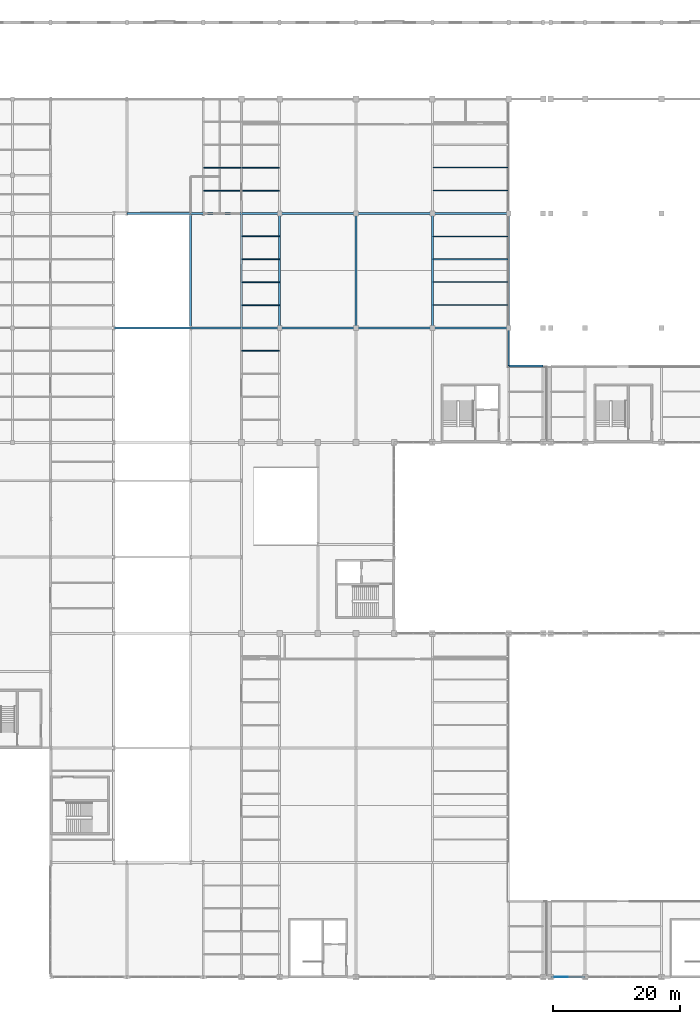
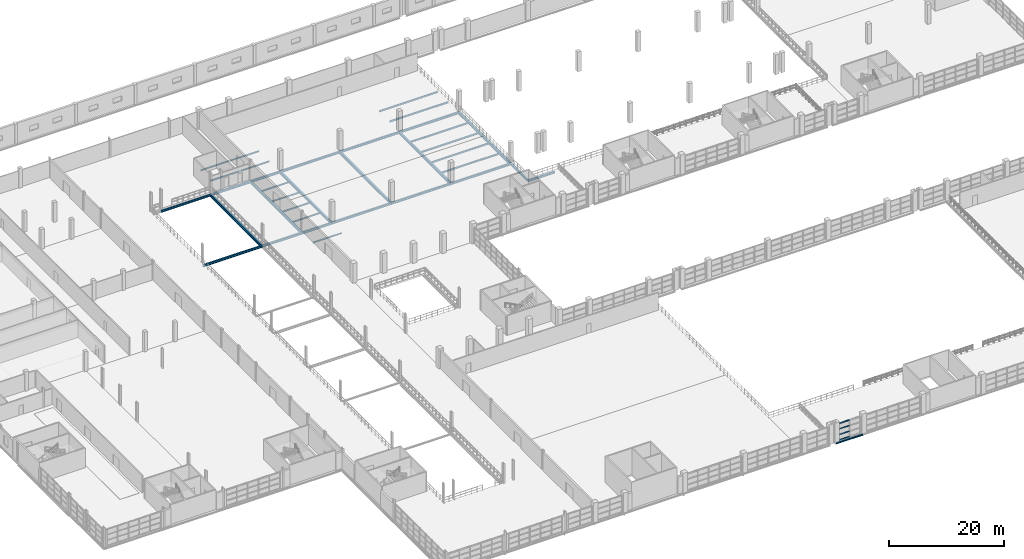
# One storey, part 61 of 158: 37 beams, 4 members, 1 element without a shape of its own.
"""IFC4 building model written with IfcOpenShell, lengths in metres."""

from ifc_helpers import new_model, si_unit, direction, frame, origin, origin_2d, place, context, subcontext, project, spatial, hollow_rectangle, i_section, extrude, material, layer, layer_set, material_profile, profile_set, type_object, element, aggregate, save


model = new_model("IFC4")

# Units and contexts
model_context = context("Model", 3, precision=1e-05, world=origin(), true_north=direction((0.0, 1.0)))
body_context = subcontext(model_context, "Body", "Model", "MODEL_VIEW")
ifc_project = project(units=[si_unit("LENGTHUNIT", "METRE"), si_unit("AREAUNIT", "SQUARE_METRE"), si_unit("VOLUMEUNIT", "CUBIC_METRE"), si_unit("PLANEANGLEUNIT", "RADIAN"), si_unit("MASSUNIT", "GRAM", prefix="KILO")], contexts=[model_context])

# Site, building, storey
site_placement = place(None, origin())
site = spatial("IfcSite", under=ifc_project, at=site_placement, CompositionType="ELEMENT")
building_placement = place(site_placement, origin())
building = spatial("IfcBuilding", under=site, at=building_placement, Name="Zilviju Railside Exhibition Hall", CompositionType="ELEMENT")
storey_placement = place(building_placement, frame((0.0, 0.0, 4.199951171875)))
storey = spatial("IfcBuildingStorey", under=building, at=storey_placement, Name="L02", CompositionType="ELEMENT", Elevation=4.199951171875)

# Beams
ifc_material_1 = material(Name="Steel S355J2", Category="steel")
ifc_material_profile_1 = material_profile(ifc_material_1, i_section(OverallWidth=0.300048828125, OverallDepth=0.2900390625, WebThickness=0.008544921875, FlangeThickness=0.013916015625, at=origin_2d()), Name="HEA 300")
ifc_profile_set_1 = profile_set([ifc_material_profile_1], Name="Steel S355J2")
beam_type_1 = type_object("IfcBeamType", Name="BM-HEA300", PredefinedType="SPANDREL", material=ifc_profile_set_1)
beam_1_placement = place(storey_placement, frame((126.60009765625, 0.0, -0.474853515625), z_axis=(1.0, 0.0, 0.0), x_axis=(0.0, 1.0, 0.0)))
element("IfcBeam", 1, at=beam_1_placement, inside=storey, type_object=beam_type_1, Name="Primary Girder L02 Y=0.0 (126.6..132.0)", PredefinedType="SPANDREL", context=body_context, shape_type="SweptSolid", body=[
    extrude(i_section(OverallWidth=0.300048828125, OverallDepth=0.2900390625, WebThickness=0.008544921875, FlangeThickness=0.013916015625, at=origin_2d()), origin(), (0.0, 0.0, 1.0), 5.39990234375),
])
ifc_material_profile_2 = material_profile(ifc_material_1, i_section(OverallWidth=0.300048828125, OverallDepth=0.360107421875, WebThickness=0.012451171875, FlangeThickness=0.0224609375, at=origin_2d()), Name="HEB 360")
ifc_profile_set_2 = profile_set([ifc_material_profile_2], Name="Steel S355J2")
beam_type_2 = type_object("IfcBeamType", Name="BM-HEB360", PredefinedType="BEAM", material=ifc_profile_set_2)
beam_2_placement = place(storey_placement, frame((120.0, 96.0, -0.510009765625), z_axis=(0.0, 1.0, 0.0), x_axis=(-1.0, 0.0, 0.0)))
element("IfcBeam", 2, at=beam_2_placement, inside=storey, type_object=beam_type_2, Name="Transverse Girder L02 X=120.0 (96.0..102.0)", PredefinedType="BEAM", context=body_context, shape_type="SweptSolid", body=[
    extrude(i_section(OverallWidth=0.300048828125, OverallDepth=0.360107421875, WebThickness=0.012451171875, FlangeThickness=0.0224609375, at=origin_2d()), origin(), (0.0, 0.0, 1.0), 6.0),
])
ifc_material_profile_3 = material_profile(ifc_material_1, i_section(OverallWidth=0.300048828125, OverallDepth=0.449951171875, WebThickness=0.013916015625, FlangeThickness=0.02587890625, at=origin_2d()), Name="HEB 450")
ifc_profile_set_3 = profile_set([ifc_material_profile_3], Name="Steel S355J2")
beam_type_3 = type_object("IfcBeamType", Name="BM-HEB450", PredefinedType="BEAM", material=ifc_profile_set_3)
beam_3_placement = place(storey_placement, frame((120.0, 96.0, -0.554931640625), z_axis=(1.0, 0.0, 0.0), x_axis=(0.0, 1.0, 0.0)))
element("IfcBeam", 3, at=beam_3_placement, inside=storey, type_object=beam_type_3, Name="Primary Girder L02 Y=96.0 (120.0..125.4)", PredefinedType="BEAM", context=body_context, shape_type="SweptSolid", body=[
    extrude(i_section(OverallWidth=0.300048828125, OverallDepth=0.449951171875, WebThickness=0.013916015625, FlangeThickness=0.02587890625, at=origin_2d()), origin(), (0.0, 0.0, 1.0), 5.39990234375),
])
beam_4_placement = place(storey_placement, frame((58.0, 102.0, -0.574951171875), z_axis=(1.0, 0.0, 0.0), x_axis=(0.0, 1.0, 0.0)))
element("IfcBeam", 4, at=beam_4_placement, inside=storey, type_object=beam_type_3, Name="Primary Girder L02 Y=102.0 (58.0..70.0)", PredefinedType="BEAM", context=body_context, shape_type="SweptSolid", body=[
    extrude(i_section(OverallWidth=0.300048828125, OverallDepth=0.449951171875, WebThickness=0.013916015625, FlangeThickness=0.02587890625, at=origin_2d()), origin(), (0.0, 0.0, 1.0), 12.0),
])
beam_5_placement = place(storey_placement, frame((70.0, 102.0, -0.574951171875), z_axis=(1.0, 0.0, 0.0), x_axis=(0.0, 1.0, 0.0)))
element("IfcBeam", 5, at=beam_5_placement, inside=storey, type_object=beam_type_3, Name="Primary Girder L02 Y=102.0 (70.0..78.0)", PredefinedType="BEAM", context=body_context, shape_type="SweptSolid", body=[
    extrude(i_section(OverallWidth=0.300048828125, OverallDepth=0.449951171875, WebThickness=0.013916015625, FlangeThickness=0.02587890625, at=origin_2d()), origin(), (0.0, 0.0, 1.0), 8.0),
])
beam_6_placement = place(storey_placement, frame((78.0, 102.0, -0.574951171875), z_axis=(1.0, 0.0, 0.0), x_axis=(0.0, 1.0, 0.0)))
element("IfcBeam", 6, at=beam_6_placement, inside=storey, type_object=beam_type_3, Name="Primary Girder L02 Y=102.0 (78.0..84.0)", PredefinedType="BEAM", context=body_context, shape_type="SweptSolid", body=[
    extrude(i_section(OverallWidth=0.300048828125, OverallDepth=0.449951171875, WebThickness=0.013916015625, FlangeThickness=0.02587890625, at=origin_2d()), origin(), (0.0, 0.0, 1.0), 6.0),
])
for number, where, z_axis, x_axis, name in (
    (7, (84.0, 102.0, -0.554931640625), (1.0, 0.0, 0.0), (0.0, 1.0, 0.0), "Primary Girder L02 Y=102.0 (84.0..96.0)"),
    (8, (96.0, 102.0, -0.554931640625), (1.0, 0.0, 0.0), (0.0, 1.0, 0.0), "Primary Girder L02 Y=102.0 (96.0..108.0)"),
    (9, (108.0, 102.0, -0.554931640625), (1.0, 0.0, 0.0), (0.0, 1.0, 0.0), "Primary Girder L02 Y=102.0 (108.0..120.0)"),
):
    element("IfcBeam", number, at=place(storey_placement, frame(where, z_axis=z_axis, x_axis=x_axis)), inside=storey, type_object=beam_type_3, Name=name, PredefinedType="BEAM", context=body_context, shape_type="SweptSolid", body=[
        extrude(i_section(OverallWidth=0.300048828125, OverallDepth=0.449951171875, WebThickness=0.013916015625, FlangeThickness=0.02587890625, at=origin_2d()), origin(), (0.0, 0.0, 1.0), 12.0),
    ])
beam_7_placement = place(storey_placement, frame((60.0, 120.0, -0.574951171875), z_axis=(1.0, 0.0, 0.0), x_axis=(0.0, 1.0, 0.0)))
element("IfcBeam", 10, at=beam_7_placement, inside=storey, type_object=beam_type_3, Name="Primary Girder L02 Y=120.0 (60.0..70.0)", PredefinedType="BEAM", context=body_context, shape_type="SweptSolid", body=[
    extrude(i_section(OverallWidth=0.300048828125, OverallDepth=0.449951171875, WebThickness=0.013916015625, FlangeThickness=0.02587890625, at=origin_2d()), origin(), (0.0, 0.0, 1.0), 10.0),
])
beam_8_placement = place(storey_placement, frame((70.0, 120.0, -0.574951171875), z_axis=(1.0, 0.0, 0.0), x_axis=(0.0, 1.0, 0.0)))
element("IfcBeam", 11, at=beam_8_placement, inside=storey, type_object=beam_type_3, Name="Primary Girder L02 Y=120.0 (70.0..72.0)", PredefinedType="BEAM", context=body_context, shape_type="SweptSolid", body=[
    extrude(i_section(OverallWidth=0.300048828125, OverallDepth=0.449951171875, WebThickness=0.013916015625, FlangeThickness=0.02587890625, at=origin_2d()), origin(), (0.0, 0.0, 1.0), 2.0),
])
for number, where, z_axis, x_axis, name in (
    (12, (72.0, 120.0, -0.574951171875), (1.0, 0.0, 0.0), (0.0, 1.0, 0.0), "Primary Girder L02 Y=120.0 (72.0..78.0)"),
    (13, (78.0, 120.0, -0.574951171875), (1.0, 0.0, 0.0), (0.0, 1.0, 0.0), "Primary Girder L02 Y=120.0 (78.0..84.0)"),
):
    element("IfcBeam", number, at=place(storey_placement, frame(where, z_axis=z_axis, x_axis=x_axis)), inside=storey, type_object=beam_type_3, Name=name, PredefinedType="BEAM", context=body_context, shape_type="SweptSolid", body=[
        extrude(i_section(OverallWidth=0.300048828125, OverallDepth=0.449951171875, WebThickness=0.013916015625, FlangeThickness=0.02587890625, at=origin_2d()), origin(), (0.0, 0.0, 1.0), 6.0),
    ])
for number, where, z_axis, x_axis, name in (
    (14, (84.0, 120.0, -0.554931640625), (1.0, 0.0, 0.0), (0.0, 1.0, 0.0), "Primary Girder L02 Y=120.0 (84.0..96.0)"),
    (15, (96.0, 120.0, -0.554931640625), (1.0, 0.0, 0.0), (0.0, 1.0, 0.0), "Primary Girder L02 Y=120.0 (96.0..108.0)"),
    (16, (108.0, 120.0, -0.554931640625), (1.0, 0.0, 0.0), (0.0, 1.0, 0.0), "Primary Girder L02 Y=120.0 (108.0..120.0)"),
):
    element("IfcBeam", number, at=place(storey_placement, frame(where, z_axis=z_axis, x_axis=x_axis)), inside=storey, type_object=beam_type_3, Name=name, PredefinedType="BEAM", context=body_context, shape_type="SweptSolid", body=[
        extrude(i_section(OverallWidth=0.300048828125, OverallDepth=0.449951171875, WebThickness=0.013916015625, FlangeThickness=0.02587890625, at=origin_2d()), origin(), (0.0, 0.0, 1.0), 12.0),
    ])
ifc_material_profile_4 = material_profile(ifc_material_1, i_section(OverallWidth=0.300048828125, OverallDepth=0.5, WebThickness=0.014404296875, FlangeThickness=0.028076171875, at=origin_2d()), Name="HEB 500")
ifc_profile_set_4 = profile_set([ifc_material_profile_4], Name="Steel S355J2")
beam_type_4 = type_object("IfcBeamType", Name="BM-HEB500", PredefinedType="BEAM", material=ifc_profile_set_4)
beam_9_placement = place(storey_placement, frame((78.0, 102.0, -0.599853515625), z_axis=(0.0, 1.0, 0.0), x_axis=(-1.0, 0.0, 0.0)))
element("IfcBeam", 17, at=beam_9_placement, inside=storey, type_object=beam_type_4, Name="Transverse Girder L02 X=78.0 (102.0..120.0)", PredefinedType="BEAM", context=body_context, shape_type="SweptSolid", body=[
    extrude(i_section(OverallWidth=0.300048828125, OverallDepth=0.5, WebThickness=0.014404296875, FlangeThickness=0.028076171875, at=origin_2d()), origin(), (0.0, 0.0, 1.0), 18.0),
])
ifc_material_profile_5 = material_profile(ifc_material_1, i_section(OverallWidth=0.300048828125, OverallDepth=0.60009765625, WebThickness=0.015380859375, FlangeThickness=0.030029296875, at=origin_2d()), Name="HEB 600")
ifc_profile_set_5 = profile_set([ifc_material_profile_5], Name="Steel S355J2")
beam_type_5 = type_object("IfcBeamType", Name="BM-HEB600", PredefinedType="BEAM", material=ifc_profile_set_5)
for number, where, z_axis, x_axis, name in (
    (18, (70.0, 102.0, -0.64990234375), (0.0, 1.0, 0.0), (-1.0, 0.0, 0.0), "Transverse Girder L02 X=70.0 (102.0..120.0)"),
    (19, (84.0, 102.0, -0.6298828125), (0.0, 1.0, 0.0), (-1.0, 0.0, 0.0), "Transverse Girder L02 X=84.0 (102.0..120.0)"),
    (20, (96.0, 102.0, -0.6298828125), (0.0, 1.0, 0.0), (-1.0, 0.0, 0.0), "Transverse Girder L02 X=96.0 (102.0..120.0)"),
    (21, (108.0, 102.0, -0.6298828125), (0.0, 1.0, 0.0), (-1.0, 0.0, 0.0), "Transverse Girder L02 X=108.0 (102.0..120.0)"),
    (22, (120.0, 102.0, -0.6298828125), (0.0, 1.0, 0.0), (-1.0, 0.0, 0.0), "Transverse Girder L02 X=120.0 (102.0..120.0)"),
):
    element("IfcBeam", number, at=place(storey_placement, frame(where, z_axis=z_axis, x_axis=x_axis)), inside=storey, type_object=beam_type_5, Name=name, PredefinedType="BEAM", context=body_context, shape_type="SweptSolid", body=[
        extrude(i_section(OverallWidth=0.300048828125, OverallDepth=0.60009765625, WebThickness=0.015380859375, FlangeThickness=0.030029296875, at=origin_2d()), origin(), (0.0, 0.0, 1.0), 18.0),
    ])
ifc_material_profile_6 = material_profile(ifc_material_1, i_section(OverallWidth=0.14990234375, OverallDepth=0.300048828125, WebThickness=0.007080078125, FlangeThickness=0.0107421875, at=origin_2d()), Name="IPE 300")
ifc_profile_set_6 = profile_set([ifc_material_profile_6], Name="Steel S355J2")
beam_type_6 = type_object("IfcBeamType", Name="BM-IPE300", PredefinedType="JOIST", material=ifc_profile_set_6)
for number, where, z_axis, x_axis, name in (
    (23, (72.080078125, 123.60009765625, -0.5), (1.0, 0.0, 0.0), (0.0, 1.0, 0.0), "Composite Floor Joist L02 Y=123.60 (72.0..78.0)"),
    (24, (72.080078125, 127.199951171875, -0.5), (1.0, 0.0, 0.0), (0.0, 1.0, 0.0), "Composite Floor Joist L02 Y=127.20 (72.0..78.0)"),
    (25, (78.080078125, 98.39990234375, -0.5), (1.0, 0.0, 0.0), (0.0, 1.0, 0.0), "Composite Floor Joist L02 Y=98.40 (78.0..84.0)"),
    (26, (78.080078125, 105.60009765625, -0.5), (1.0, 0.0, 0.0), (0.0, 1.0, 0.0), "Composite Floor Joist L02 Y=105.60 (78.0..84.0)"),
    (27, (78.080078125, 109.199951171875, -0.5), (1.0, 0.0, 0.0), (0.0, 1.0, 0.0), "Composite Floor Joist L02 Y=109.20 (78.0..84.0)"),
    (28, (78.080078125, 112.800048828125, -0.5), (1.0, 0.0, 0.0), (0.0, 1.0, 0.0), "Composite Floor Joist L02 Y=112.80 (78.0..84.0)"),
    (29, (78.080078125, 116.39990234375, -0.5), (1.0, 0.0, 0.0), (0.0, 1.0, 0.0), "Composite Floor Joist L02 Y=116.40 (78.0..84.0)"),
    (30, (78.080078125, 123.60009765625, -0.5), (1.0, 0.0, 0.0), (0.0, 1.0, 0.0), "Composite Floor Joist L02 Y=123.60 (78.0..84.0)"),
    (31, (78.080078125, 127.199951171875, -0.5), (1.0, 0.0, 0.0), (0.0, 1.0, 0.0), "Composite Floor Joist L02 Y=127.20 (78.0..84.0)"),
):
    element("IfcBeam", number, at=place(storey_placement, frame(where, z_axis=z_axis, x_axis=x_axis)), inside=storey, type_object=beam_type_6, Name=name, PredefinedType="JOIST", context=body_context, shape_type="SweptSolid", body=[
        extrude(i_section(OverallWidth=0.14990234375, OverallDepth=0.300048828125, WebThickness=0.007080078125, FlangeThickness=0.0107421875, at=origin_2d()), origin(), (0.0, 0.0, 1.0), 5.83984375),
    ])
ifc_material_profile_7 = material_profile(ifc_material_1, i_section(OverallWidth=0.169921875, OverallDepth=0.360107421875, WebThickness=0.008056640625, FlangeThickness=0.0126953125, at=origin_2d()), Name="IPE 360")
ifc_profile_set_7 = profile_set([ifc_material_profile_7], Name="Steel S355J2")
beam_type_7 = type_object("IfcBeamType", Name="BM-IPE360", PredefinedType="JOIST", material=ifc_profile_set_7)
for number, where, z_axis, x_axis, name in (
    (32, (108.080078125, 105.60009765625, -0.510009765625), (1.0, 0.0, 0.0), (0.0, 1.0, 0.0), "Composite Floor Joist L02 Y=105.60 (108.0..120.0)"),
    (33, (108.080078125, 109.199951171875, -0.510009765625), (1.0, 0.0, 0.0), (0.0, 1.0, 0.0), "Composite Floor Joist L02 Y=109.20 (108.0..120.0)"),
    (34, (108.080078125, 112.800048828125, -0.510009765625), (1.0, 0.0, 0.0), (0.0, 1.0, 0.0), "Composite Floor Joist L02 Y=112.80 (108.0..120.0)"),
    (35, (108.080078125, 116.39990234375, -0.510009765625), (1.0, 0.0, 0.0), (0.0, 1.0, 0.0), "Composite Floor Joist L02 Y=116.40 (108.0..120.0)"),
    (36, (108.080078125, 123.60009765625, -0.510009765625), (1.0, 0.0, 0.0), (0.0, 1.0, 0.0), "Composite Floor Joist L02 Y=123.60 (108.0..120.0)"),
    (37, (108.080078125, 127.199951171875, -0.510009765625), (1.0, 0.0, 0.0), (0.0, 1.0, 0.0), "Composite Floor Joist L02 Y=127.20 (108.0..120.0)"),
):
    element("IfcBeam", number, at=place(storey_placement, frame(where, z_axis=z_axis, x_axis=x_axis)), inside=storey, type_object=beam_type_7, Name=name, PredefinedType="JOIST", context=body_context, shape_type="SweptSolid", body=[
        extrude(i_section(OverallWidth=0.169921875, OverallDepth=0.360107421875, WebThickness=0.008056640625, FlangeThickness=0.0126953125, at=origin_2d()), origin(), (0.0, 0.0, 1.0), 11.83984375),
    ])

# Curtain wall, members
ifc_material_2 = material(Name="Thermally broken aluminium-steel triple-glazed curtain wall", Category="steel")
ifc_layer = layer(ifc_material_2, 0.179931640625)
ifc_layer_set = layer_set([ifc_layer], Name="Thermally broken aluminium-steel triple-glazed curtain wall")
curtain_wall_type = type_object("IfcCurtainWallType", Name="CW-BAY-10", PredefinedType="USERDEFINED", material=ifc_layer_set)
curtain_wall_placement = place(storey_placement, origin())
curtain_wall = element("IfcCurtainWall", 38, at=curtain_wall_placement, inside=storey, type_object=curtain_wall_type, Name="South Hall Facade Curtain Wall L02 (127..132)", ObjectType="GLAZED CURTAIN WALL", PredefinedType="USERDEFINED")
ifc_material_3 = material(Name="Thermally broken anodized aluminium transom", Category="aluminium")
ifc_material_profile_8 = material_profile(ifc_material_3, hollow_rectangle(XDim=0.080078125, YDim=0.159912109375, WallThickness=0.0048828125, at=origin_2d()), Name="TRANSOM 160x80x5")
ifc_profile_set_8 = profile_set([ifc_material_profile_8], Name="Thermally broken anodized aluminium transom")
member_type = type_object("IfcMemberType", Name="CWT-80x160", PredefinedType="USERDEFINED", material=ifc_profile_set_8)
member_1_placement = place(storey_placement, frame((129.260009765625, 0.0, 0.0400390625), z_axis=(-1.0, 0.0, 0.0), x_axis=(0.0, -1.0, 0.0)))
member_1 = element("IfcMember", 39, at=member_1_placement, type_object=member_type, Name="CW-10 transom 2.1", ObjectType="TRANSOM", PredefinedType="USERDEFINED", context=body_context, shape_type="SweptSolid", body=[
    extrude(hollow_rectangle(XDim=0.080078125, YDim=0.159912109375, WallThickness=0.0048828125, at=origin_2d()), origin(), (0.0, 0.0, 1.0), 2.030029296875),
])
member_2_placement = place(storey_placement, frame((129.260009765625, 0.0, 1.18701171875), z_axis=(-1.0, 0.0, 0.0), x_axis=(0.0, -1.0, 0.0)))
member_2 = element("IfcMember", 40, at=member_2_placement, type_object=member_type, Name="CW-10 transom 2.2", ObjectType="TRANSOM", PredefinedType="USERDEFINED", context=body_context, shape_type="SweptSolid", body=[
    extrude(hollow_rectangle(XDim=0.080078125, YDim=0.159912109375, WallThickness=0.0048828125, at=origin_2d()), origin(), (0.0, 0.0, 1.0), 2.030029296875),
])
member_3_placement = place(storey_placement, frame((129.260009765625, 0.0, 2.373046875), z_axis=(-1.0, 0.0, 0.0), x_axis=(0.0, -1.0, 0.0)))
member_3 = element("IfcMember", 41, at=member_3_placement, type_object=member_type, Name="CW-10 transom 2.3", ObjectType="TRANSOM", PredefinedType="USERDEFINED", context=body_context, shape_type="SweptSolid", body=[
    extrude(hollow_rectangle(XDim=0.080078125, YDim=0.159912109375, WallThickness=0.0048828125, at=origin_2d()), origin(), (0.0, 0.0, 1.0), 2.030029296875),
])
member_4_placement = place(storey_placement, frame((129.260009765625, 0.0, 3.52001953125), z_axis=(-1.0, 0.0, 0.0), x_axis=(0.0, -1.0, 0.0)))
member_4 = element("IfcMember", 42, at=member_4_placement, type_object=member_type, Name="CW-10 transom 2.4", ObjectType="TRANSOM", PredefinedType="USERDEFINED", context=body_context, shape_type="SweptSolid", body=[
    extrude(hollow_rectangle(XDim=0.080078125, YDim=0.159912109375, WallThickness=0.0048828125, at=origin_2d()), origin(), (0.0, 0.0, 1.0), 2.030029296875),
])
aggregate(curtain_wall, [member_1, member_2, member_3, member_4])

save(model, "model.ifc")
